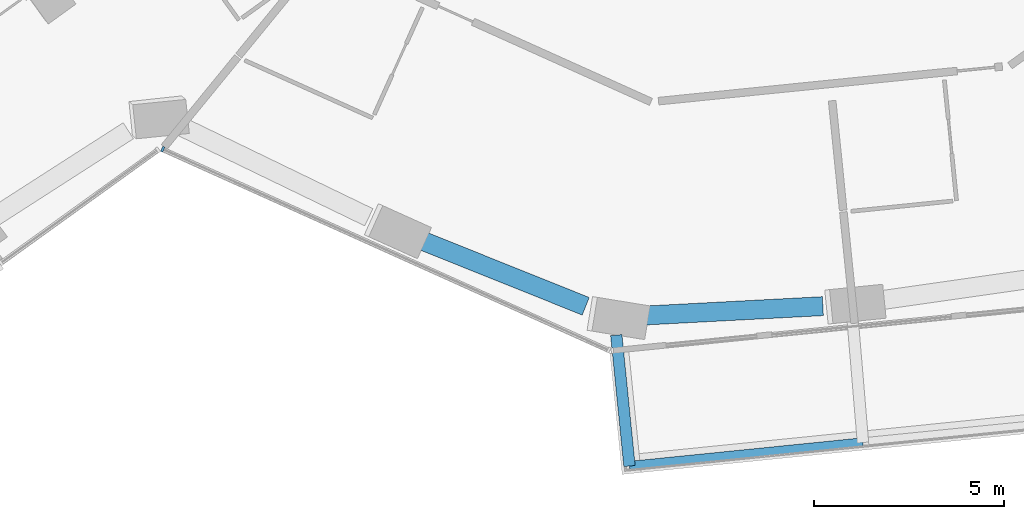
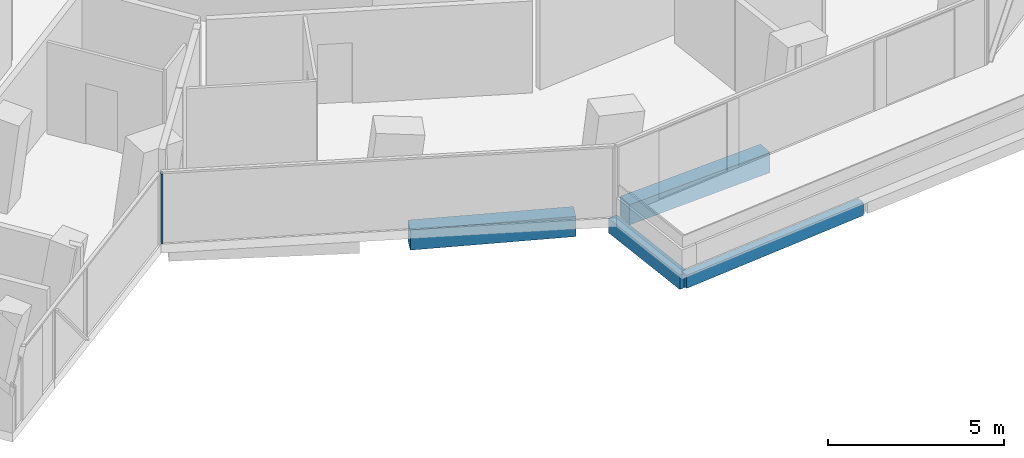
# One storey, part 3 of 26: 4 beams, 1 member, 1 element without a shape of its own.
"""IFC4 building model written with IfcOpenShell, lengths in metres."""

from ifc_helpers import new_model, si_unit, direction, frame, origin, origin_2d, place, context, subcontext, project, spatial, rectangle, extrude, material, layer, layer_set, material_profile, profile_set, type_object, element, aggregate, save


model = new_model("IFC4")

# Units and contexts
model_context = context("Model", 3, precision=1e-05, world=origin(), true_north=direction((0.0, 1.0)))
body_context = subcontext(model_context, "Body", "Model", "MODEL_VIEW")
ifc_project = project(units=[si_unit("LENGTHUNIT", "METRE"), si_unit("AREAUNIT", "SQUARE_METRE"), si_unit("VOLUMEUNIT", "CUBIC_METRE"), si_unit("PLANEANGLEUNIT", "RADIAN"), si_unit("MASSUNIT", "GRAM", prefix="KILO")], contexts=[model_context])

# Site, building, storey
site_placement = place(None, origin())
site = spatial("IfcSite", under=ifc_project, at=site_placement, CompositionType="ELEMENT")
building_placement = place(site_placement, origin())
building = spatial("IfcBuilding", under=site, at=building_placement, Name="Verdalira Terraces Hotel", CompositionType="ELEMENT")
storey_placement = place(building_placement, frame((0.0, 0.0, 56.5)))
storey = spatial("IfcBuildingStorey", under=building, at=storey_placement, Name="L12", CompositionType="ELEMENT", Elevation=56.5)

# Beams
ifc_material_1 = material(Name="Concrete C40", Category="concrete")
ifc_material_profile_1 = material_profile(ifc_material_1, rectangle(XDim=0.300049, YDim=0.5, at=origin_2d()), Name="RC 300X500")
ifc_profile_set_1 = profile_set([ifc_material_profile_1], Name="Concrete C40")
beam_type_1 = type_object("IfcBeamType", Name="Balcony cantilever beam RC 300X500 C40", PredefinedType="BEAM", material=ifc_profile_set_1)
beam_1_placement = place(storey_placement, frame((-3.866211, -24.297607, -0.560059), z_axis=(0.10036017, -0.994951173, 0.0), x_axis=(0.994951173, 0.10036017, 0.0)))
element("IfcBeam", 1, at=beam_1_placement, inside=storey, type_object=beam_type_1, Name="Balcony cantilever beam R26-1", PredefinedType="BEAM", context=body_context, shape_type="SweptSolid", body=[
    extrude(rectangle(XDim=0.300049, YDim=0.5, at=origin_2d()), origin(), (0.0, 0.0, 1.0), 3.471436),
])
ifc_material_2 = material(Name="Concrete C40", Category="concrete")
ifc_material_profile_2 = material_profile(ifc_material_2, rectangle(XDim=0.25, YDim=0.449951, at=origin_2d()), Name="RC 250X450")
ifc_profile_set_2 = profile_set([ifc_material_profile_2], Name="Concrete C40")
beam_type_2 = type_object("IfcBeamType", Name="Balcony edge beam RC 250X450 C40", PredefinedType="BEAM", material=ifc_profile_set_2)
beam_2_placement = place(storey_placement, frame((-3.517822, -27.751465, -0.534912), z_axis=(0.994951681, 0.10035513, 0.0), x_axis=(-0.10035513, 0.994951681, 0.0)))
element("IfcBeam", 2, at=beam_2_placement, inside=storey, type_object=beam_type_2, Name="Balcony edge beam R26-1", PredefinedType="BEAM", context=body_context, shape_type="SweptSolid", body=[
    extrude(rectangle(XDim=0.25, YDim=0.449951, at=origin_2d()), origin(), (0.0, 0.0, 1.0), 6.188965),
])

# Curtain wall, member
ifc_material_3 = material(Name="Clear glass", Category="glass")
ifc_layer = layer(ifc_material_3, 0.14990234375)
ifc_layer_set = layer_set([ifc_layer], Name="CW1 curtain wall")
curtain_wall_type = type_object("IfcCurtainWallType", Name="CW1 curtain wall", PredefinedType="NOTDEFINED", material=ifc_layer_set)
curtain_wall_placement = place(storey_placement, origin())
curtain_wall = element("IfcCurtainWall", 3, at=curtain_wall_placement, inside=storey, type_object=curtain_wall_type, Name="CW1 curtain wall L12 edge 25", PredefinedType="NOTDEFINED")
ifc_material_4 = material(Name="Terracotta frame", Category="masonry")
ifc_material_profile_3 = material_profile(ifc_material_4, rectangle(XDim=0.060059, YDim=0.149902, at=origin_2d()), Name="MU 60x150")
ifc_profile_set_3 = profile_set([ifc_material_profile_3], Name="Terracotta frame")
member_type = type_object("IfcMemberType", Name="CW1 mullion 60x150", PredefinedType="MULLION", material=ifc_profile_set_3)
member_placement = place(storey_placement, frame((-15.828369, -19.394775, 0.0), z_axis=(0.0, 0.0, 1.0), x_axis=(0.911833714, -0.410559714, 0.0)))
member = element("IfcMember", 4, at=member_placement, type_object=member_type, Name="CW1 mullion", PredefinedType="MULLION", context=body_context, shape_type="SweptSolid", body=[
    extrude(rectangle(XDim=0.060059, YDim=0.149902, at=origin_2d()), origin(), (0.0, 0.0, 1.0), 2.425049),
])
aggregate(curtain_wall, [member])

# Beams
ifc_material_5 = material(Name="Concrete C70", Category="concrete")
ifc_material_profile_4 = material_profile(ifc_material_5, rectangle(XDim=0.5, YDim=0.699951, at=origin_2d()), Name="RC 500X700")
ifc_profile_set_4 = profile_set([ifc_material_profile_4], Name="Concrete C70")
beam_type_3 = type_object("IfcBeamType", Name="Spandrel beam RC 500X700 C70", PredefinedType="SPANDREL", material=ifc_profile_set_4)
beam_3_placement = place(storey_placement, frame((-9.087402, -21.765625, -0.659912), z_axis=(0.928125749, -0.372266833, 0.0), x_axis=(0.372266833, 0.928125749, 0.0)))
element("IfcBeam", 5, at=beam_3_placement, inside=storey, type_object=beam_type_3, Name="Spandrel beam B20", PredefinedType="SPANDREL", context=body_context, shape_type="SweptSolid", body=[
    extrude(rectangle(XDim=0.5, YDim=0.699951, at=origin_2d()), origin(), (0.0, 0.0, 1.0), 4.755371),
])
beam_4_placement = place(storey_placement, frame((-3.169922, -23.783691, -0.659912), z_axis=(0.998616554, 0.052583066, 0.0), x_axis=(-0.052583066, 0.998616554, 0.0)))
element("IfcBeam", 6, at=beam_4_placement, inside=storey, type_object=beam_type_3, Name="Spandrel beam B21", PredefinedType="SPANDREL", context=body_context, shape_type="SweptSolid", body=[
    extrude(rectangle(XDim=0.5, YDim=0.699951, at=origin_2d()), origin(), (0.0, 0.0, 1.0), 4.759033),
])

save(model, "model.ifc")
